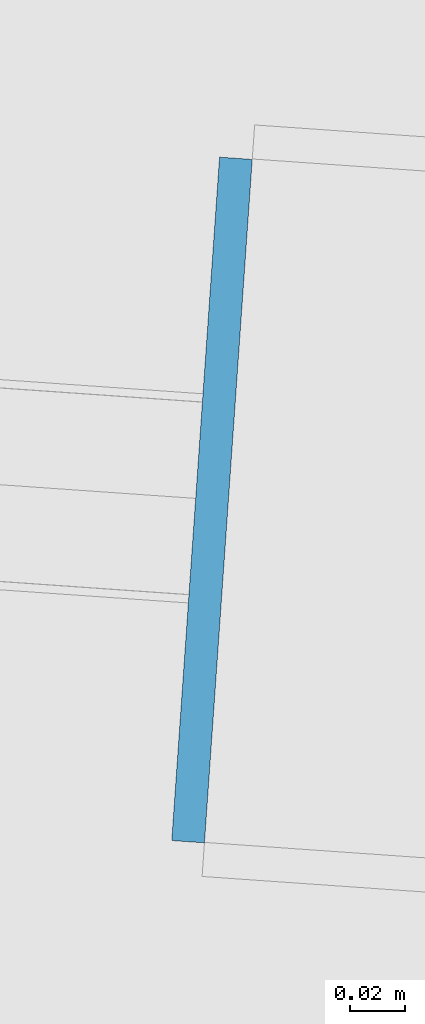
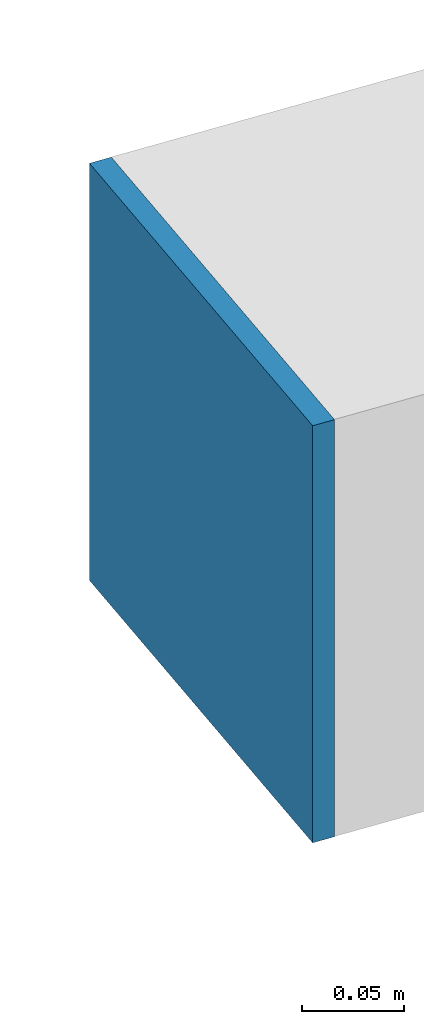
# One storey, part 29 of 39: 1 plate.
"""IFC4 building model written with IfcOpenShell, lengths in metres."""

from ifc_helpers import new_model, si_unit, direction, frame, origin, origin_2d, place, context, subcontext, project, spatial, rectangle, extrude, source, transform, mapped, material, layer, layer_set, type_object, element, save


model = new_model("IFC4")

# Units and contexts
model_context = context("Model", 3, precision=1e-05, world=origin(), true_north=direction((0.0, 1.0)))
body_context = subcontext(model_context, "Body", "Model", "MODEL_VIEW")
ifc_project = project(units=[si_unit("LENGTHUNIT", "METRE"), si_unit("AREAUNIT", "SQUARE_METRE"), si_unit("VOLUMEUNIT", "CUBIC_METRE"), si_unit("PLANEANGLEUNIT", "RADIAN"), si_unit("MASSUNIT", "GRAM", prefix="KILO")], contexts=[model_context])

# Site, building, storey
site_placement = place(None, origin())
site = spatial("IfcSite", under=ifc_project, at=site_placement, CompositionType="ELEMENT")
building_placement = place(site_placement, origin())
building = spatial("IfcBuilding", under=site, at=building_placement, Name="Taldren Reach Tower", CompositionType="ELEMENT")
storey_placement = place(building_placement, frame((0.0, 0.0, 145.60009765625)))
storey = spatial("IfcBuildingStorey", under=building, at=storey_placement, Name="L44", CompositionType="ELEMENT", Elevation=145.60009765625)

# Plate
ifc_material = material(Name="Steel Gr 350 (C350L0)", Category="steel")
ifc_layer = layer(ifc_material, 0.011962890625)
ifc_layer_set = layer_set([ifc_layer], Name="Steel Gr 350 (C350L0)")
plate_type = type_object("IfcPlateType", Name="PL-CAP-250", PredefinedType="SHEET", material=ifc_layer_set)
shared_shape = source(origin(), body_context, "Body", "SweptSolid", [
    extrude(rectangle(XDim=0.011962890625, YDim=0.25, at=origin_2d()), origin(), (0.0, 0.0, 1.0), 0.25),
])
plate_placement = place(storey_placement, frame((8.3095703125, 21.976806640625, 0.094970703125), z_axis=(0.0, 0.0, 1.0), x_axis=(0.99756405026, -0.069756473744, 0.0)))
element("IfcPlate", 1, at=plate_placement, inside=storey, type_object=plate_type, Name="Tie strut end cap plate B3-W2 L44", PredefinedType="SHEET", context=body_context, shape_type="MappedRepresentation", body=[
    mapped(shared_shape, transform((0.0, 0.0, 0.0), scale=1.0)),
])

save(model, "model.ifc")
